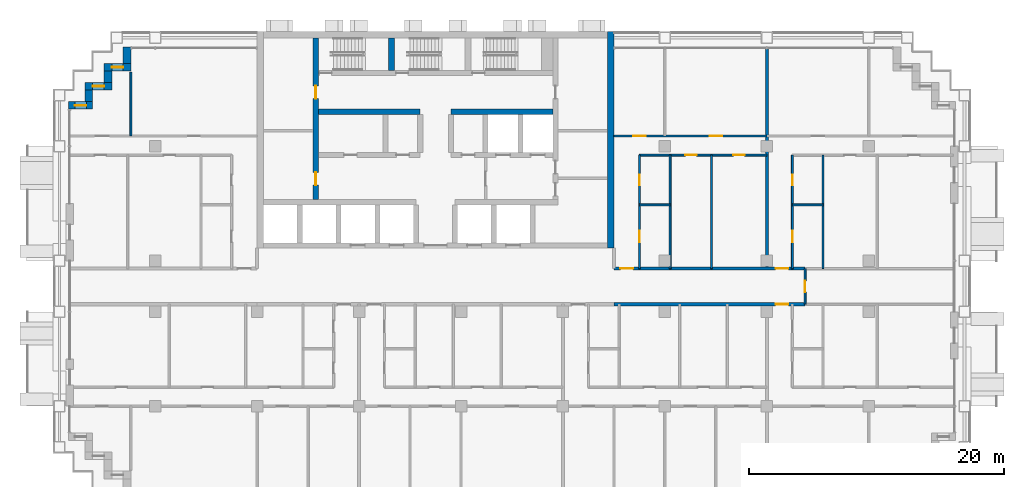
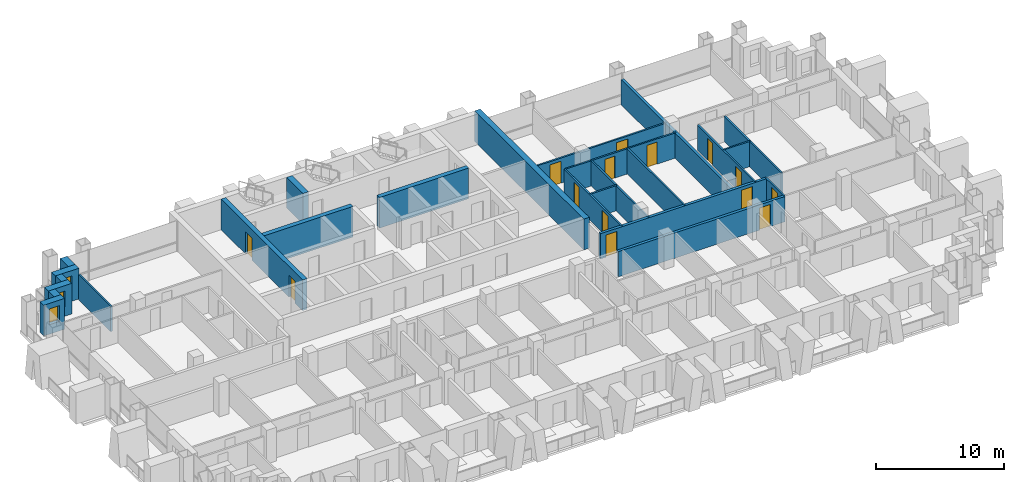
# One storey, part 12 of 18: 25 walls, 14 doors, 3 windows, 17 openings.
"""IFC4 building model written with IfcOpenShell, lengths in metres."""

from ifc_helpers import new_model, si_unit, direction, frame, frame_2d, origin, place, context, subcontext, project, spatial, rectangle, extrude, material, layer, layer_set, type_object, element, fill, save


model = new_model("IFC4")

# Units and contexts
model_context = context("Model", 3, precision=1e-05, world=origin(), true_north=direction((0.0, 1.0)))
body_context = subcontext(model_context, "Body", "Model", "MODEL_VIEW")
ifc_project = project(units=[si_unit("LENGTHUNIT", "METRE"), si_unit("AREAUNIT", "SQUARE_METRE"), si_unit("VOLUMEUNIT", "CUBIC_METRE"), si_unit("PLANEANGLEUNIT", "RADIAN"), si_unit("MASSUNIT", "GRAM", prefix="KILO")], contexts=[model_context])

# Site, building, storey
site_placement = place(None, origin())
site = spatial("IfcSite", under=ifc_project, at=site_placement, CompositionType="ELEMENT")
building_placement = place(site_placement, origin())
building = spatial("IfcBuilding", under=site, at=building_placement, Name="Vidyagriha Tower", CompositionType="ELEMENT")
storey_placement = place(building_placement, frame((0.0, 0.0, 83.89990234375)))
storey = spatial("IfcBuildingStorey", under=building, at=storey_placement, Name="L21", CompositionType="ELEMENT", Elevation=83.89990234375)

# Wall
ifc_material_1 = material(Name="Precast concrete C40/50 with brick facing", Category="concrete")
ifc_layer_1 = layer(ifc_material_1, 0.60009765625)
ifc_layer_set_1 = layer_set([ifc_layer_1], Name="Precast concrete C40/50 with brick facing")
wall_type_1 = type_object("IfcWallType", Name="Brick-faced precast wall 600", PredefinedType="STANDARD", material=ifc_layer_set_1)
wall_1_placement = place(storey_placement, frame((-24.199951171875, 18.780029296875, 0.0), z_axis=(0.0, 0.0, 1.0), x_axis=(0.0, -1.0, 0.0)))
element("IfcWall", 1, at=wall_1_placement, inside=storey, type_object=wall_type_1, Name="Stepped corner wall L21 R10", PredefinedType="STANDARD", context=body_context, shape_type="SweptSolid", body=[
    extrude(rectangle(XDim=1.280029296875, YDim=0.60009765625, at=frame_2d((0.64013671875, 0.0))), origin(), (0.0, 0.0, 1.0), 2.920166015625),
])

# Wall, opening, window
wall_2_placement = place(storey_placement, frame((-23.89990234375, 17.199951171875, 0.0), z_axis=(0.0, 0.0, 1.0), x_axis=(-1.0, 0.0, 0.0)))
wall_2 = element("IfcWall", 2, at=wall_2_placement, inside=storey, type_object=wall_type_1, Name="Stepped corner wall L21 R11", PredefinedType="STANDARD", context=body_context, shape_type="SweptSolid", body=[
    extrude(rectangle(XDim=2.10009765625, YDim=0.60009765625, at=frame_2d((1.050048828125, 0.0))), origin(), (0.0, 0.0, 1.0), 2.920166015625),
])
opening_1_placement = place(wall_2_placement, frame((0.60009765625, 0.0, 0.89990234375)))
opening_1 = element("IfcOpeningElement", 3, at=opening_1_placement, cuts=wall_2, Name="Opening WN1", PredefinedType="OPENING", context=body_context, shape_type="SweptSolid", body=[
    extrude(rectangle(XDim=0.89990234375, YDim=1.5, at=frame_2d((0.449951171875, 0.75))), frame((0.0, 0.31005859375, 0.0), z_axis=(0.0, -1.0, 0.0), x_axis=(1.0, 0.0, 0.0)), (0.0, 0.0, 1.0), 0.6201171875),
])
ifc_material_2 = material(Name="Aluminium and glass window", Category="aluminium")
window_type = type_object("IfcWindowType", Name="Reveal window 900x1500", PartitioningType="NOTDEFINED", PredefinedType="WINDOW", material=ifc_material_2)
window_1_placement = place(opening_1_placement, origin())
window_1 = element("IfcWindow", 4, at=window_1_placement, inside=storey, type_object=window_type, Name="Reveal window L21 R11", OverallHeight=1.5, OverallWidth=0.89990234375, PartitioningType="SINGLE_PANEL", PredefinedType="WINDOW", context=body_context, shape_type="SweptSolid", body=[
    extrude(rectangle(XDim=0.89990234375, YDim=1.5, at=frame_2d((0.449951171875, 0.75))), frame((0.0, 0.030029296875, 0.0), z_axis=(0.0, -1.0, 0.0), x_axis=(1.0, 0.0, 0.0)), (0.0, 0.0, 1.0), 0.06005859375),
])
fill(opening_1, window_1)

# Wall
wall_3_placement = place(storey_placement, frame((-25.699951171875, 16.89990234375, 0.0), z_axis=(0.0, 0.0, 1.0), x_axis=(0.0, -1.0, 0.0)))
element("IfcWall", 5, at=wall_3_placement, inside=storey, type_object=wall_type_1, Name="Stepped corner wall L21 R12", PredefinedType="STANDARD", context=body_context, shape_type="SweptSolid", body=[
    extrude(rectangle(XDim=0.89990234375, YDim=0.60009765625, at=frame_2d((0.449951171875, 0.0))), origin(), (0.0, 0.0, 1.0), 2.920166015625),
])

# Wall, opening, window
wall_4_placement = place(storey_placement, frame((-25.39990234375, 15.699951171875, 0.0), z_axis=(0.0, 0.0, 1.0), x_axis=(-1.0, 0.0, 0.0)))
wall_4 = element("IfcWall", 6, at=wall_4_placement, inside=storey, type_object=wall_type_1, Name="Stepped corner wall L21 R13", PredefinedType="STANDARD", context=body_context, shape_type="SweptSolid", body=[
    extrude(rectangle(XDim=2.10009765625, YDim=0.60009765625, at=frame_2d((1.050048828125, 0.0))), origin(), (0.0, 0.0, 1.0), 2.920166015625),
])
opening_2_placement = place(wall_4_placement, frame((0.60009765625, 0.0, 0.89990234375)))
opening_2 = element("IfcOpeningElement", 7, at=opening_2_placement, cuts=wall_4, Name="Opening WN1", PredefinedType="OPENING", context=body_context, shape_type="SweptSolid", body=[
    extrude(rectangle(XDim=0.89990234375, YDim=1.5, at=frame_2d((0.449951171875, 0.75))), frame((0.0, 0.31005859375, 0.0), z_axis=(0.0, -1.0, 0.0), x_axis=(1.0, 0.0, 0.0)), (0.0, 0.0, 1.0), 0.6201171875),
])
window_2_placement = place(opening_2_placement, origin())
window_2 = element("IfcWindow", 8, at=window_2_placement, inside=storey, type_object=window_type, Name="Reveal window L21 R13", OverallHeight=1.5, OverallWidth=0.89990234375, PartitioningType="SINGLE_PANEL", PredefinedType="WINDOW", context=body_context, shape_type="SweptSolid", body=[
    extrude(rectangle(XDim=0.89990234375, YDim=1.5, at=frame_2d((0.449951171875, 0.75))), frame((0.0, 0.030029296875, 0.0), z_axis=(0.0, -1.0, 0.0), x_axis=(1.0, 0.0, 0.0)), (0.0, 0.0, 1.0), 0.06005859375),
])
fill(opening_2, window_2)

# Wall
wall_5_placement = place(storey_placement, frame((-27.199951171875, 15.39990234375, 0.0), z_axis=(0.0, 0.0, 1.0), x_axis=(0.0, -1.0, 0.0)))
element("IfcWall", 9, at=wall_5_placement, inside=storey, type_object=wall_type_1, Name="Stepped corner wall L21 R14", PredefinedType="STANDARD", context=body_context, shape_type="SweptSolid", body=[
    extrude(rectangle(XDim=0.89990234375, YDim=0.60009765625, at=frame_2d((0.449951171875, 0.0))), origin(), (0.0, 0.0, 1.0), 2.920166015625),
])

# Wall, opening, window
wall_6_placement = place(storey_placement, frame((-26.89990234375, 14.199951171875, 0.0), z_axis=(0.0, 0.0, 1.0), x_axis=(-1.0, 0.0, 0.0)))
wall_6 = element("IfcWall", 10, at=wall_6_placement, inside=storey, type_object=wall_type_1, Name="Stepped corner wall L21 R15", PredefinedType="STANDARD", context=body_context, shape_type="SweptSolid", body=[
    extrude(rectangle(XDim=1.880126953125, YDim=0.60009765625, at=frame_2d((0.93994140625, 0.0))), origin(), (0.0, 0.0, 1.0), 2.920166015625),
])
opening_3_placement = place(wall_6_placement, frame((0.489990234375, 0.0, 0.89990234375)))
opening_3 = element("IfcOpeningElement", 11, at=opening_3_placement, cuts=wall_6, Name="Opening WN1", PredefinedType="OPENING", context=body_context, shape_type="SweptSolid", body=[
    extrude(rectangle(XDim=0.89990234375, YDim=1.5, at=frame_2d((0.449951171875, 0.75))), frame((0.0, 0.31005859375, 0.0), z_axis=(0.0, -1.0, 0.0), x_axis=(1.0, 0.0, 0.0)), (0.0, 0.0, 1.0), 0.6201171875),
])
window_3_placement = place(opening_3_placement, origin())
window_3 = element("IfcWindow", 12, at=window_3_placement, inside=storey, type_object=window_type, Name="Reveal window L21 R15", OverallHeight=1.5, OverallWidth=0.89990234375, PartitioningType="SINGLE_PANEL", PredefinedType="WINDOW", context=body_context, shape_type="SweptSolid", body=[
    extrude(rectangle(XDim=0.89990234375, YDim=1.5, at=frame_2d((0.449951171875, 0.75))), frame((0.0, 0.030029296875, 0.0), z_axis=(0.0, -1.0, 0.0), x_axis=(1.0, 0.0, 0.0)), (0.0, 0.0, 1.0), 0.06005859375),
])
fill(opening_3, window_3)

# Wall, openings, doors
ifc_material_3 = material(Name="Concrete C60/75", Category="concrete")
ifc_layer_2 = layer(ifc_material_3, 0.39990234375)
ifc_layer_set_2 = layer_set([ifc_layer_2], Name="Concrete C60/75")
wall_type_2 = type_object("IfcWallType", Name="Core shear wall 400 mm", PredefinedType="SHEAR", material=ifc_layer_set_2)
wall_7_placement = place(storey_placement, frame((-9.39990234375, 6.800048828125, 0.0), z_axis=(0.0, 0.0, 1.0), x_axis=(0.0, 1.0, 0.0)))
wall_7 = element("IfcWall", 13, at=wall_7_placement, inside=storey, type_object=wall_type_2, Name="Core west spine wall", PredefinedType="SHEAR", context=body_context, shape_type="SweptSolid", body=[
    extrude(rectangle(XDim=12.699951171875, YDim=0.39990234375, at=frame_2d((6.35009765625, 0.0))), origin(), (0.0, 0.0, 1.0), 2.920166015625),
])
opening_4_placement = place(wall_7_placement, frame((1.14990234375, 0.0, 0.0)))
opening_4 = element("IfcOpeningElement", 14, at=opening_4_placement, cuts=wall_7, Name="Opening D21-09", PredefinedType="OPENING", context=body_context, shape_type="SweptSolid", body=[
    extrude(rectangle(XDim=1.0, YDim=2.10009765625, at=frame_2d((0.5, 1.050048828125))), frame((0.0, 0.2099609375, 0.0), z_axis=(0.0, -1.0, 0.0), x_axis=(1.0, 0.0, 0.0)), (0.0, 0.0, 1.0), 0.419921875),
])
opening_5_placement = place(wall_7_placement, frame((7.925048828125, 0.0, 0.0)))
opening_5 = element("IfcOpeningElement", 15, at=opening_5_placement, cuts=wall_7, Name="Opening D21-10", PredefinedType="OPENING", context=body_context, shape_type="SweptSolid", body=[
    extrude(rectangle(XDim=1.0, YDim=2.10009765625, at=frame_2d((0.5, 1.050048828125))), frame((0.0, 0.2099609375, 0.0), z_axis=(0.0, -1.0, 0.0), x_axis=(1.0, 0.0, 0.0)), (0.0, 0.0, 1.0), 0.419921875),
])
ifc_material_4 = material(Name="Hollow metal door leaf")
door_type_1 = type_object("IfcDoorType", Name="Core room door 1000 x 2100 mm EI 60", OperationType="NOTDEFINED", PredefinedType="DOOR", material=ifc_material_4)
door_1_placement = place(opening_4_placement, frame((1.0, 0.0, 0.0), z_axis=(0.0, 0.0, 1.0), x_axis=(-1.0, 0.0, 0.0)))
door_1 = element("IfcDoor", 16, at=door_1_placement, inside=storey, type_object=door_type_1, Name="Door Pressurisation Plant Room 21.W1", OperationType="SINGLE_SWING_RIGHT", OverallHeight=2.10009765625, OverallWidth=1.0, PredefinedType="DOOR", context=body_context, shape_type="SweptSolid", body=[
    extrude(rectangle(XDim=1.0, YDim=2.10009765625, at=frame_2d((0.5, 1.050048828125))), frame((0.0, 0.02490234375, 0.0), z_axis=(0.0, -1.0, 0.0), x_axis=(1.0, 0.0, 0.0)), (0.0, 0.0, 1.0), 0.050048828125),
])
fill(opening_4, door_1)
door_2_placement = place(opening_5_placement, frame((1.0, 0.0, 0.0), z_axis=(0.0, 0.0, 1.0), x_axis=(-1.0, 0.0, 0.0)))
door_2 = element("IfcDoor", 17, at=door_2_placement, inside=storey, type_object=door_type_1, Name="Door Storage Room 21.W2", OperationType="SINGLE_SWING_LEFT", OverallHeight=2.10009765625, OverallWidth=1.0, PredefinedType="DOOR", context=body_context, shape_type="SweptSolid", body=[
    extrude(rectangle(XDim=1.0, YDim=2.10009765625, at=frame_2d((0.5, 1.050048828125))), frame((0.0, 0.02490234375, 0.0), z_axis=(0.0, -1.0, 0.0), x_axis=(1.0, 0.0, 0.0)), (0.0, 0.0, 1.0), 0.050048828125),
])
fill(opening_5, door_2)

# Walls
for number, where, name in (
    (18, (-9.199951171875, 13.699951171875, 0.0), "Core row N rear wall"),
    (19, (1.199951171875, 13.699951171875, 0.0), "Core row N rear wall"),
):
    element("IfcWall", number, at=place(storey_placement, frame(where)), inside=storey, type_object=wall_type_2, Name=name, PredefinedType="SHEAR", context=body_context, shape_type="SweptSolid", body=[
        extrude(rectangle(XDim=8.0, YDim=0.39990234375, at=frame_2d((4.0, 0.0))), origin(), (0.0, 0.0, 1.0), 2.920166015625),
    ])
ifc_material_5 = material(Name="Concrete C60/75", Category="concrete")
ifc_layer_3 = layer(ifc_material_5, 0.5)
ifc_layer_set_3 = layer_set([ifc_layer_3], Name="Concrete C60/75")
wall_type_3 = type_object("IfcWallType", Name="Core shear wall 500 mm", PredefinedType="SHEAR", material=ifc_layer_set_3)
wall_8_placement = place(storey_placement, frame((13.75, 3.0, 0.0), z_axis=(0.0, 0.0, 1.0), x_axis=(0.0, 1.0, 0.0)))
element("IfcWall", 20, at=wall_8_placement, inside=storey, type_object=wall_type_3, Name="Core east wall", PredefinedType="SHEAR", context=body_context, shape_type="SweptSolid", body=[
    extrude(rectangle(XDim=17.0, YDim=0.5, at=frame_2d((8.5, 0.0))), origin(), (0.0, 0.0, 1.0), 2.920166015625),
])
wall_9_placement = place(storey_placement, frame((-3.449951171875, 16.949951171875, 0.0), z_axis=(0.0, 0.0, 1.0), x_axis=(0.0, 1.0, 0.0)))
element("IfcWall", 21, at=wall_9_placement, inside=storey, type_object=wall_type_3, Name="Stair partition wall 1", PredefinedType="SHEAR", context=body_context, shape_type="SweptSolid", body=[
    extrude(rectangle(XDim=2.550048828125, YDim=0.5, at=frame_2d((1.27490234375, 0.0))), origin(), (0.0, 0.0, 1.0), 2.920166015625),
])

# Wall, opening, door
ifc_material_6 = material(Name="Fired clay brick masonry", Category="masonry")
ifc_layer_4 = layer(ifc_material_6, 0.25)
ifc_layer_set_4 = layer_set([ifc_layer_4], Name="Fired clay brick masonry")
wall_type_4 = type_object("IfcWallType", Name="Fired clay brick corridor wall 250", PredefinedType="PARTITIONING", material=ifc_layer_set_4)
wall_10_placement = place(storey_placement, frame((29.0, -1.39990234375, 0.0), z_axis=(0.0, 0.0, 1.0), x_axis=(-1.0, 0.0, 0.0)))
wall_10 = element("IfcWall", 22, at=wall_10_placement, inside=storey, type_object=wall_type_4, Name="Wall all-L21-w077", PredefinedType="PARTITIONING", context=body_context, shape_type="SweptSolid", body=[
    extrude(rectangle(XDim=15.0, YDim=0.25, at=frame_2d((7.5, 0.0))), origin(), (0.0, 0.0, 1.0), 2.400146484375),
])
opening_6_placement = place(wall_10_placement, frame((1.31103515625, 0.0, 0.0)))
opening_6 = element("IfcOpeningElement", 23, at=opening_6_placement, cuts=wall_10, Name="Opening D21-49", PredefinedType="OPENING", context=body_context, shape_type="SweptSolid", body=[
    extrude(rectangle(XDim=1.0, YDim=2.10009765625, at=frame_2d((0.5, 1.050048828125))), frame((0.0, 0.135009765625, 0.0), z_axis=(0.0, -1.0, 0.0), x_axis=(1.0, 0.0, 0.0)), (0.0, 0.0, 1.0), 0.27001953125),
])
ifc_material_7 = material(Name="Fire-rated timber door leaf EI 60", Category="wood")
door_type_2 = type_object("IfcDoorType", Name="Flat entrance fire door 1000x2100", OperationType="NOTDEFINED", PredefinedType="DOOR", material=ifc_material_7)
door_3_placement = place(opening_6_placement, origin())
door_3 = element("IfcDoor", 24, at=door_3_placement, inside=storey, type_object=door_type_2, Name="Door D21-49", OperationType="SINGLE_SWING_RIGHT", OverallHeight=2.10009765625, OverallWidth=1.0, PredefinedType="DOOR", context=body_context, shape_type="SweptSolid", body=[
    extrude(rectangle(XDim=1.0, YDim=2.10009765625, at=frame_2d((0.5, 1.050048828125))), frame((0.0, 0.02490234375, 0.0), z_axis=(0.0, -1.0, 0.0), x_axis=(1.0, 0.0, 0.0)), (0.0, 0.0, 1.0), 0.050048828125),
])
fill(opening_6, door_3)

# Wall, openings, doors
wall_11_placement = place(storey_placement, frame((14.0, 1.39990234375, 0.0)))
wall_11 = element("IfcWall", 25, at=wall_11_placement, inside=storey, type_object=wall_type_4, Name="Wall all-L21-w123", PredefinedType="PARTITIONING", context=body_context, shape_type="SweptSolid", body=[
    extrude(rectangle(XDim=15.0, YDim=0.25, at=frame_2d((7.5, 0.0))), origin(), (0.0, 0.0, 1.0), 2.400146484375),
])
opening_7_placement = place(wall_11_placement, frame((0.5, 0.0, 0.0)))
opening_7 = element("IfcOpeningElement", 26, at=opening_7_placement, cuts=wall_11, Name="Opening D21-63", PredefinedType="OPENING", context=body_context, shape_type="SweptSolid", body=[
    extrude(rectangle(XDim=1.0, YDim=2.10009765625, at=frame_2d((0.5, 1.050048828125))), frame((0.0, 0.135009765625, 0.0), z_axis=(0.0, -1.0, 0.0), x_axis=(1.0, 0.0, 0.0)), (0.0, 0.0, 1.0), 0.27001953125),
])
opening_8_placement = place(wall_11_placement, frame((12.68896484375, 0.0, 0.0)))
opening_8 = element("IfcOpeningElement", 27, at=opening_8_placement, cuts=wall_11, Name="Opening D21-70", PredefinedType="OPENING", context=body_context, shape_type="SweptSolid", body=[
    extrude(rectangle(XDim=1.0, YDim=2.10009765625, at=frame_2d((0.5, 1.050048828125))), frame((0.0, 0.135009765625, 0.0), z_axis=(0.0, -1.0, 0.0), x_axis=(1.0, 0.0, 0.0)), (0.0, 0.0, 1.0), 0.27001953125),
])
door_4_placement = place(opening_7_placement, origin())
door_4 = element("IfcDoor", 28, at=door_4_placement, inside=storey, type_object=door_type_2, Name="Door D21-63", OperationType="SINGLE_SWING_LEFT", OverallHeight=2.10009765625, OverallWidth=1.0, PredefinedType="DOOR", context=body_context, shape_type="SweptSolid", body=[
    extrude(rectangle(XDim=1.0, YDim=2.10009765625, at=frame_2d((0.5, 1.050048828125))), frame((0.0, 0.02490234375, 0.0), z_axis=(0.0, -1.0, 0.0), x_axis=(1.0, 0.0, 0.0)), (0.0, 0.0, 1.0), 0.050048828125),
])
fill(opening_7, door_4)
door_5_placement = place(opening_8_placement, origin())
door_5 = element("IfcDoor", 29, at=door_5_placement, inside=storey, type_object=door_type_2, Name="Door D21-70", OperationType="SINGLE_SWING_LEFT", OverallHeight=2.10009765625, OverallWidth=1.0, PredefinedType="DOOR", context=body_context, shape_type="SweptSolid", body=[
    extrude(rectangle(XDim=1.0, YDim=2.10009765625, at=frame_2d((0.5, 1.050048828125))), frame((0.0, 0.02490234375, 0.0), z_axis=(0.0, -1.0, 0.0), x_axis=(1.0, 0.0, 0.0)), (0.0, 0.0, 1.0), 0.050048828125),
])
fill(opening_8, door_5)

# Walls
ifc_material_8 = material(Name="Fired clay brick masonry", Category="masonry")
ifc_layer_5 = layer(ifc_material_8, 0.25)
ifc_layer_set_5 = layer_set([ifc_layer_5], Name="Fired clay brick masonry")
wall_type_5 = type_object("IfcWallType", Name="Fired clay brick demising wall 250", PredefinedType="PARTITIONING", material=ifc_layer_set_5)
wall_12_placement = place(storey_placement, frame((26.0, 18.62109375, 0.0), z_axis=(0.0, 0.0, 1.0), x_axis=(0.0, -1.0, 0.0)))
element("IfcWall", 30, at=wall_12_placement, inside=storey, type_object=wall_type_5, Name="Wall all-L21-w122", PredefinedType="PARTITIONING", context=body_context, shape_type="SweptSolid", body=[
    extrude(rectangle(XDim=17.22119140625, YDim=0.25, at=frame_2d((8.610595703125, 0.0))), origin(), (0.0, 0.0, 1.0), 2.400146484375),
])
ifc_material_9 = material(Name="Gypsum board partition")
ifc_layer_6 = layer(ifc_material_9, 0.14990234375)
ifc_layer_set_6 = layer_set([ifc_layer_6], Name="Gypsum board partition")
wall_type_6 = type_object("IfcWallType", Name="Gypsum board partition 150", PredefinedType="PARTITIONING", material=ifc_layer_set_6)
wall_13_placement = place(storey_placement, frame((-23.89990234375, 16.820068359375, 0.0), z_axis=(0.0, 0.0, 1.0), x_axis=(0.0, -1.0, 0.0)))
element("IfcWall", 31, at=wall_13_placement, inside=storey, type_object=wall_type_6, Name="Wall all-L21-w091", PredefinedType="PARTITIONING", context=body_context, shape_type="SweptSolid", body=[
    extrude(rectangle(XDim=5.02001953125, YDim=0.14990234375, at=frame_2d((2.510009765625, 0.0))), origin(), (0.0, 0.0, 1.0), 2.400146484375),
])
wall_14_placement = place(storey_placement, frame((16.0, 6.39990234375, 0.0)))
element("IfcWall", 32, at=wall_14_placement, inside=storey, type_object=wall_type_6, Name="Wall all-L21-w097", PredefinedType="PARTITIONING", context=body_context, shape_type="SweptSolid", body=[
    extrude(rectangle(XDim=2.39990234375, YDim=0.14990234375, at=frame_2d((1.199951171875, 0.0))), origin(), (0.0, 0.0, 1.0), 2.400146484375),
])
for number, where, z_axis, x_axis, name in (
    (33, (18.39990234375, 10.300048828125, 0.0), (0.0, 0.0, 1.0), (0.0, -1.0, 0.0), "Wall all-L21-w098"),
    (34, (21.64990234375, 10.300048828125, 0.0), (0.0, 0.0, 1.0), (0.0, -1.0, 0.0), "Wall all-L21-w099"),
):
    element("IfcWall", number, at=place(storey_placement, frame(where, z_axis=z_axis, x_axis=x_axis)), inside=storey, type_object=wall_type_6, Name=name, PredefinedType="PARTITIONING", context=body_context, shape_type="SweptSolid", body=[
        extrude(rectangle(XDim=8.900146484375, YDim=0.14990234375, at=frame_2d((4.4501953125, 0.0))), origin(), (0.0, 0.0, 1.0), 2.400146484375),
    ])

# Wall, openings, doors
wall_15_placement = place(storey_placement, frame((26.0, 10.300048828125, 0.0), z_axis=(0.0, 0.0, 1.0), x_axis=(-1.0, 0.0, 0.0)))
wall_15 = element("IfcWall", 35, at=wall_15_placement, inside=storey, type_object=wall_type_6, Name="Wall all-L21-w100", PredefinedType="PARTITIONING", context=body_context, shape_type="SweptSolid", body=[
    extrude(rectangle(XDim=10.0, YDim=0.14990234375, at=frame_2d((5.0, 0.0))), origin(), (0.0, 0.0, 1.0), 2.400146484375),
])
opening_9_placement = place(wall_15_placement, frame((5.52490234375, 0.0, 0.0)))
opening_9 = element("IfcOpeningElement", 36, at=opening_9_placement, cuts=wall_15, Name="Opening D21-59", PredefinedType="OPENING", context=body_context, shape_type="SweptSolid", body=[
    extrude(rectangle(XDim=0.89990234375, YDim=2.10009765625, at=frame_2d((0.449951171875, 1.050048828125))), frame((0.0, 0.0849609375, 0.0), z_axis=(0.0, -1.0, 0.0), x_axis=(1.0, 0.0, 0.0)), (0.0, 0.0, 1.0), 0.169921875),
])
opening_10_placement = place(wall_15_placement, frame((1.72509765625, 0.0, 0.0)))
opening_10 = element("IfcOpeningElement", 37, at=opening_10_placement, cuts=wall_15, Name="Opening D21-60", PredefinedType="OPENING", context=body_context, shape_type="SweptSolid", body=[
    extrude(rectangle(XDim=0.89990234375, YDim=2.10009765625, at=frame_2d((0.449951171875, 1.050048828125))), frame((0.0, 0.0849609375, 0.0), z_axis=(0.0, -1.0, 0.0), x_axis=(1.0, 0.0, 0.0)), (0.0, 0.0, 1.0), 0.169921875),
])
ifc_material_10 = material(Name="Timber door leaf", Category="wood")
door_type_3 = type_object("IfcDoorType", Name="Room door 900x2100", OperationType="NOTDEFINED", PredefinedType="DOOR", material=ifc_material_10)
door_6_placement = place(opening_9_placement, origin())
door_6 = element("IfcDoor", 38, at=door_6_placement, inside=storey, type_object=door_type_3, Name="Door D21-59", OperationType="SINGLE_SWING_RIGHT", OverallHeight=2.10009765625, OverallWidth=0.89990234375, PredefinedType="DOOR", context=body_context, shape_type="SweptSolid", body=[
    extrude(rectangle(XDim=0.89990234375, YDim=2.10009765625, at=frame_2d((0.449951171875, 1.050048828125))), frame((0.0, 0.02490234375, 0.0), z_axis=(0.0, -1.0, 0.0), x_axis=(1.0, 0.0, 0.0)), (0.0, 0.0, 1.0), 0.050048828125),
])
fill(opening_9, door_6)
door_7_placement = place(opening_10_placement, origin())
door_7 = element("IfcDoor", 39, at=door_7_placement, inside=storey, type_object=door_type_3, Name="Door D21-60", OperationType="SINGLE_SWING_RIGHT", OverallHeight=2.10009765625, OverallWidth=0.89990234375, PredefinedType="DOOR", context=body_context, shape_type="SweptSolid", body=[
    extrude(rectangle(XDim=0.89990234375, YDim=2.10009765625, at=frame_2d((0.449951171875, 1.050048828125))), frame((0.0, 0.02490234375, 0.0), z_axis=(0.0, -1.0, 0.0), x_axis=(1.0, 0.0, 0.0)), (0.0, 0.0, 1.0), 0.050048828125),
])
fill(opening_10, door_7)

wall_16_placement = place(storey_placement, frame((14.0, 11.800048828125, 0.0)))
wall_16 = element("IfcWall", 40, at=wall_16_placement, inside=storey, type_object=wall_type_6, Name="Wall all-L21-w103", PredefinedType="PARTITIONING", context=body_context, shape_type="SweptSolid", body=[
    extrude(rectangle(XDim=12.0, YDim=0.14990234375, at=frame_2d((6.0, 0.0))), origin(), (0.0, 0.0, 1.0), 2.400146484375),
])
opening_11_placement = place(wall_16_placement, frame((1.5, 0.0, 0.0)))
opening_11 = element("IfcOpeningElement", 41, at=opening_11_placement, cuts=wall_16, Name="Opening D21-61", PredefinedType="OPENING", context=body_context, shape_type="SweptSolid", body=[
    extrude(rectangle(XDim=1.0, YDim=2.10009765625, at=frame_2d((0.5, 1.050048828125))), frame((0.0, 0.0849609375, 0.0), z_axis=(0.0, -1.0, 0.0), x_axis=(1.0, 0.0, 0.0)), (0.0, 0.0, 1.0), 0.169921875),
])
opening_12_placement = place(wall_16_placement, frame((7.5, 0.0, 0.0)))
opening_12 = element("IfcOpeningElement", 42, at=opening_12_placement, cuts=wall_16, Name="Opening D21-62", PredefinedType="OPENING", context=body_context, shape_type="SweptSolid", body=[
    extrude(rectangle(XDim=1.0, YDim=2.10009765625, at=frame_2d((0.5, 1.050048828125))), frame((0.0, 0.0849609375, 0.0), z_axis=(0.0, -1.0, 0.0), x_axis=(1.0, 0.0, 0.0)), (0.0, 0.0, 1.0), 0.169921875),
])
ifc_material_11 = material(Name="Timber door leaf", Category="wood")
door_type_4 = type_object("IfcDoorType", Name="Room door 1000x2100", OperationType="NOTDEFINED", PredefinedType="DOOR", material=ifc_material_11)
door_8_placement = place(opening_11_placement, origin())
door_8 = element("IfcDoor", 43, at=door_8_placement, inside=storey, type_object=door_type_4, Name="Door D21-61", OperationType="SINGLE_SWING_RIGHT", OverallHeight=2.10009765625, OverallWidth=1.0, PredefinedType="DOOR", context=body_context, shape_type="SweptSolid", body=[
    extrude(rectangle(XDim=1.0, YDim=2.10009765625, at=frame_2d((0.5, 1.050048828125))), frame((0.0, 0.02490234375, 0.0), z_axis=(0.0, -1.0, 0.0), x_axis=(1.0, 0.0, 0.0)), (0.0, 0.0, 1.0), 0.050048828125),
])
fill(opening_11, door_8)
door_9_placement = place(opening_12_placement, origin())
door_9 = element("IfcDoor", 44, at=door_9_placement, inside=storey, type_object=door_type_4, Name="Door D21-62", OperationType="SINGLE_SWING_RIGHT", OverallHeight=2.10009765625, OverallWidth=1.0, PredefinedType="DOOR", context=body_context, shape_type="SweptSolid", body=[
    extrude(rectangle(XDim=1.0, YDim=2.10009765625, at=frame_2d((0.5, 1.050048828125))), frame((0.0, 0.02490234375, 0.0), z_axis=(0.0, -1.0, 0.0), x_axis=(1.0, 0.0, 0.0)), (0.0, 0.0, 1.0), 0.050048828125),
])
fill(opening_12, door_9)

# Walls
wall_17_placement = place(storey_placement, frame((28.0, 6.39990234375, 0.0)))
element("IfcWall", 45, at=wall_17_placement, inside=storey, type_object=wall_type_6, Name="Wall all-L21-w111", PredefinedType="PARTITIONING", context=body_context, shape_type="SweptSolid", body=[
    extrude(rectangle(XDim=2.39990234375, YDim=0.14990234375, at=frame_2d((1.199951171875, 0.0))), origin(), (0.0, 0.0, 1.0), 2.400146484375),
])
wall_18_placement = place(storey_placement, frame((30.39990234375, 10.300048828125, 0.0), z_axis=(0.0, 0.0, 1.0), x_axis=(0.0, -1.0, 0.0)))
element("IfcWall", 46, at=wall_18_placement, inside=storey, type_object=wall_type_6, Name="Wall all-L21-w112", PredefinedType="PARTITIONING", context=body_context, shape_type="SweptSolid", body=[
    extrude(rectangle(XDim=8.900146484375, YDim=0.14990234375, at=frame_2d((4.4501953125, 0.0))), origin(), (0.0, 0.0, 1.0), 2.400146484375),
])

# Wall, opening, door
wall_19_placement = place(storey_placement, frame((29.0, -1.39990234375, 0.0), z_axis=(0.0, 0.0, 1.0), x_axis=(0.0, 1.0, 0.0)))
wall_19 = element("IfcWall", 47, at=wall_19_placement, inside=storey, type_object=wall_type_6, Name="Wall all-L21-w125", PredefinedType="PARTITIONING", context=body_context, shape_type="SweptSolid", body=[
    extrude(rectangle(XDim=2.7998046875, YDim=0.14990234375, at=frame_2d((1.39990234375, 0.0))), origin(), (0.0, 0.0, 1.0), 2.400146484375),
])
opening_13_placement = place(wall_19_placement, frame((0.949951171875, 0.0, 0.0)))
opening_13 = element("IfcOpeningElement", 48, at=opening_13_placement, cuts=wall_19, Name="Opening D21-71", PredefinedType="OPENING", context=body_context, shape_type="SweptSolid", body=[
    extrude(rectangle(XDim=0.89990234375, YDim=2.10009765625, at=frame_2d((0.449951171875, 1.050048828125))), frame((0.0, 0.0849609375, 0.0), z_axis=(0.0, -1.0, 0.0), x_axis=(1.0, 0.0, 0.0)), (0.0, 0.0, 1.0), 0.169921875),
])
door_10_placement = place(opening_13_placement, origin())
door_10 = element("IfcDoor", 49, at=door_10_placement, inside=storey, type_object=door_type_3, Name="Door D21-71", OperationType="SINGLE_SWING_RIGHT", OverallHeight=2.10009765625, OverallWidth=0.89990234375, PredefinedType="DOOR", context=body_context, shape_type="SweptSolid", body=[
    extrude(rectangle(XDim=0.89990234375, YDim=2.10009765625, at=frame_2d((0.449951171875, 1.050048828125))), frame((0.0, 0.02490234375, 0.0), z_axis=(0.0, -1.0, 0.0), x_axis=(1.0, 0.0, 0.0)), (0.0, 0.0, 1.0), 0.050048828125),
])
fill(opening_13, door_10)

# Wall, openings, doors
ifc_material_12 = material(Name="Moisture resistant gypsum board partition")
ifc_layer_7 = layer(ifc_material_12, 0.14990234375)
ifc_layer_set_7 = layer_set([ifc_layer_7], Name="Moisture resistant gypsum board partition")
wall_type_7 = type_object("IfcWallType", Name="Gypsum board wet-area partition 150", PredefinedType="PARTITIONING", material=ifc_layer_set_7)
wall_20_placement = place(storey_placement, frame((16.0, 10.300048828125, 0.0), z_axis=(0.0, 0.0, 1.0), x_axis=(0.0, -1.0, 0.0)))
wall_20 = element("IfcWall", 50, at=wall_20_placement, inside=storey, type_object=wall_type_7, Name="Wall all-L21-w094", PredefinedType="PARTITIONING", context=body_context, shape_type="SweptSolid", body=[
    extrude(rectangle(XDim=8.900146484375, YDim=0.14990234375, at=frame_2d((4.4501953125, 0.0))), origin(), (0.0, 0.0, 1.0), 2.400146484375),
])
opening_14_placement = place(wall_20_placement, frame((5.949951171875, 0.0, 0.0)))
opening_14 = element("IfcOpeningElement", 51, at=opening_14_placement, cuts=wall_20, Name="Opening D21-57", PredefinedType="OPENING", context=body_context, shape_type="SweptSolid", body=[
    extrude(rectangle(XDim=0.89990234375, YDim=2.10009765625, at=frame_2d((0.449951171875, 1.050048828125))), frame((0.0, 0.0849609375, 0.0), z_axis=(0.0, -1.0, 0.0), x_axis=(1.0, 0.0, 0.0)), (0.0, 0.0, 1.0), 0.169921875),
])
opening_15_placement = place(wall_20_placement, frame((1.550048828125, 0.0, 0.0)))
opening_15 = element("IfcOpeningElement", 52, at=opening_15_placement, cuts=wall_20, Name="Opening D21-58", PredefinedType="OPENING", context=body_context, shape_type="SweptSolid", body=[
    extrude(rectangle(XDim=0.800048828125, YDim=2.10009765625, at=frame_2d((0.39990234375, 1.050048828125))), frame((0.0, 0.0849609375, 0.0), z_axis=(0.0, -1.0, 0.0), x_axis=(1.0, 0.0, 0.0)), (0.0, 0.0, 1.0), 0.169921875),
])
ifc_material_13 = material(Name="Timber door leaf", Category="wood")
door_type_5 = type_object("IfcDoorType", Name="Bathroom door 800x2100", OperationType="NOTDEFINED", PredefinedType="DOOR", material=ifc_material_13)
door_11_placement = place(opening_15_placement, origin())
door_11 = element("IfcDoor", 53, at=door_11_placement, inside=storey, type_object=door_type_5, Name="Door D21-58", OperationType="SINGLE_SWING_RIGHT", OverallHeight=2.10009765625, OverallWidth=0.800048828125, PredefinedType="DOOR", context=body_context, shape_type="SweptSolid", body=[
    extrude(rectangle(XDim=0.800048828125, YDim=2.10009765625, at=frame_2d((0.39990234375, 1.050048828125))), frame((0.0, 0.02490234375, 0.0), z_axis=(0.0, -1.0, 0.0), x_axis=(1.0, 0.0, 0.0)), (0.0, 0.0, 1.0), 0.050048828125),
])
fill(opening_15, door_11)
ifc_material_14 = material(Name="Timber door leaf", Category="wood")
door_type_6 = type_object("IfcDoorType", Name="Kitchen door 900x2100", OperationType="NOTDEFINED", PredefinedType="DOOR", material=ifc_material_14)
door_12_placement = place(opening_14_placement, origin())
door_12 = element("IfcDoor", 54, at=door_12_placement, inside=storey, type_object=door_type_6, Name="Door D21-57", OperationType="SINGLE_SWING_LEFT", OverallHeight=2.10009765625, OverallWidth=0.89990234375, PredefinedType="DOOR", context=body_context, shape_type="SweptSolid", body=[
    extrude(rectangle(XDim=0.89990234375, YDim=2.10009765625, at=frame_2d((0.449951171875, 1.050048828125))), frame((0.0, 0.02490234375, 0.0), z_axis=(0.0, -1.0, 0.0), x_axis=(1.0, 0.0, 0.0)), (0.0, 0.0, 1.0), 0.050048828125),
])
fill(opening_14, door_12)

wall_21_placement = place(storey_placement, frame((28.0, 10.300048828125, 0.0), z_axis=(0.0, 0.0, 1.0), x_axis=(0.0, -1.0, 0.0)))
wall_21 = element("IfcWall", 55, at=wall_21_placement, inside=storey, type_object=wall_type_7, Name="Wall all-L21-w108", PredefinedType="PARTITIONING", context=body_context, shape_type="SweptSolid", body=[
    extrude(rectangle(XDim=8.900146484375, YDim=0.14990234375, at=frame_2d((4.4501953125, 0.0))), origin(), (0.0, 0.0, 1.0), 2.400146484375),
])
opening_16_placement = place(wall_21_placement, frame((5.949951171875, 0.0, 0.0)))
opening_16 = element("IfcOpeningElement", 56, at=opening_16_placement, cuts=wall_21, Name="Opening D21-64", PredefinedType="OPENING", context=body_context, shape_type="SweptSolid", body=[
    extrude(rectangle(XDim=0.89990234375, YDim=2.10009765625, at=frame_2d((0.449951171875, 1.050048828125))), frame((0.0, 0.0849609375, 0.0), z_axis=(0.0, -1.0, 0.0), x_axis=(1.0, 0.0, 0.0)), (0.0, 0.0, 1.0), 0.169921875),
])
opening_17_placement = place(wall_21_placement, frame((1.550048828125, 0.0, 0.0)))
opening_17 = element("IfcOpeningElement", 57, at=opening_17_placement, cuts=wall_21, Name="Opening D21-65", PredefinedType="OPENING", context=body_context, shape_type="SweptSolid", body=[
    extrude(rectangle(XDim=0.800048828125, YDim=2.10009765625, at=frame_2d((0.39990234375, 1.050048828125))), frame((0.0, 0.0849609375, 0.0), z_axis=(0.0, -1.0, 0.0), x_axis=(1.0, 0.0, 0.0)), (0.0, 0.0, 1.0), 0.169921875),
])
door_13_placement = place(opening_17_placement, origin())
door_13 = element("IfcDoor", 58, at=door_13_placement, inside=storey, type_object=door_type_5, Name="Door D21-65", OperationType="SINGLE_SWING_RIGHT", OverallHeight=2.10009765625, OverallWidth=0.800048828125, PredefinedType="DOOR", context=body_context, shape_type="SweptSolid", body=[
    extrude(rectangle(XDim=0.800048828125, YDim=2.10009765625, at=frame_2d((0.39990234375, 1.050048828125))), frame((0.0, 0.02490234375, 0.0), z_axis=(0.0, -1.0, 0.0), x_axis=(1.0, 0.0, 0.0)), (0.0, 0.0, 1.0), 0.050048828125),
])
fill(opening_17, door_13)
door_14_placement = place(opening_16_placement, origin())
door_14 = element("IfcDoor", 59, at=door_14_placement, inside=storey, type_object=door_type_6, Name="Door D21-64", OperationType="SINGLE_SWING_LEFT", OverallHeight=2.10009765625, OverallWidth=0.89990234375, PredefinedType="DOOR", context=body_context, shape_type="SweptSolid", body=[
    extrude(rectangle(XDim=0.89990234375, YDim=2.10009765625, at=frame_2d((0.449951171875, 1.050048828125))), frame((0.0, 0.02490234375, 0.0), z_axis=(0.0, -1.0, 0.0), x_axis=(1.0, 0.0, 0.0)), (0.0, 0.0, 1.0), 0.050048828125),
])
fill(opening_16, door_14)

save(model, "model.ifc")
